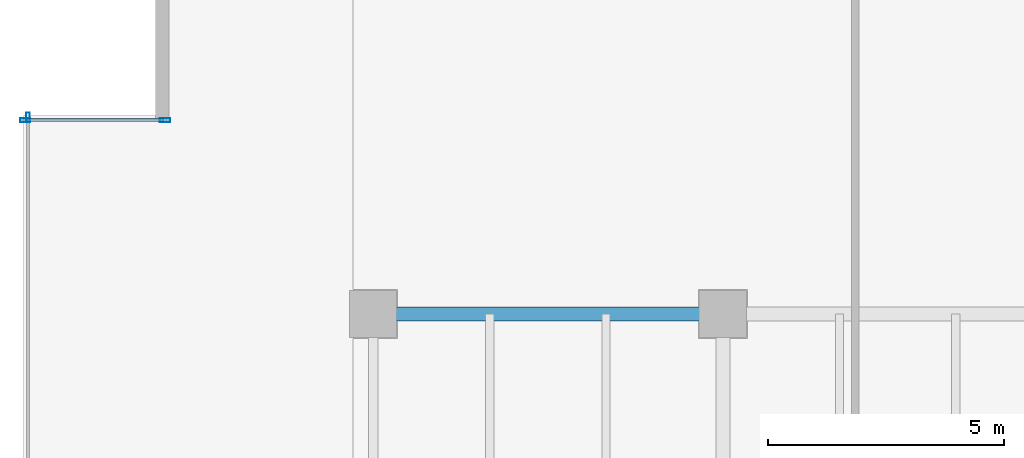
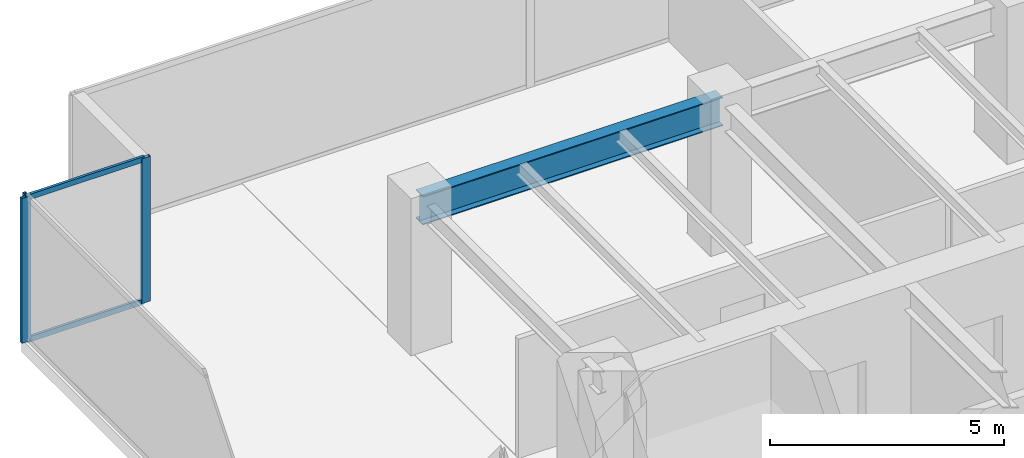
# One storey, part 12 of 37: 5 members, 1 beam, 2 elements without a shape of their own.
"""IFC4 building model written with IfcOpenShell, lengths in metres."""

from ifc_helpers import new_model, si_unit, direction, frame, origin, origin_2d, place, context, subcontext, project, spatial, hollow_rectangle, i_section, extrude, source, transform, mapped, material, layer, layer_set, material_profile, profile_set, type_object, type_shapes, element, aggregate, save


model = new_model("IFC4")

# Units and contexts
model_context = context("Model", 3, precision=1e-05, world=origin(), true_north=direction((0.0, 1.0)))
body_context = subcontext(model_context, "Body", "Model", "MODEL_VIEW")
ifc_project = project(units=[si_unit("LENGTHUNIT", "METRE"), si_unit("AREAUNIT", "SQUARE_METRE"), si_unit("VOLUMEUNIT", "CUBIC_METRE"), si_unit("PLANEANGLEUNIT", "RADIAN"), si_unit("MASSUNIT", "GRAM", prefix="KILO")], contexts=[model_context])

# Site, building, storey
site_placement = place(None, origin())
site = spatial("IfcSite", under=ifc_project, at=site_placement, CompositionType="ELEMENT")
building_placement = place(site_placement, origin())
building = spatial("IfcBuilding", under=site, at=building_placement, Name="Haelvirn Gate Laboratories", CompositionType="ELEMENT")
storey_placement = place(building_placement, frame((0.0, 0.0, 78.5)))
storey = spatial("IfcBuildingStorey", under=building, at=storey_placement, Name="L19", CompositionType="ELEMENT", Elevation=78.5)

# Beam
ifc_material_1 = material(Name="Steel SM355", Category="steel")
ifc_material_profile_1 = material_profile(ifc_material_1, i_section(OverallWidth=0.300048828125, OverallDepth=0.75, WebThickness=0.013916015625, FlangeThickness=0.02392578125, at=origin_2d()), Name="H-750x300x14x24")
ifc_profile_set_1 = profile_set([ifc_material_profile_1], Name="Steel SM355")
beam_type = type_object("IfcBeamType", Name="BM-G-750", PredefinedType="BEAM", material=ifc_profile_set_1)
shared_shape_1 = source(origin(), body_context, "Body", "SweptSolid", [
    extrude(i_section(OverallWidth=0.300048828125, OverallDepth=0.75, WebThickness=0.013916015625, FlangeThickness=0.02392578125, at=origin_2d()), origin(), (0.0, 0.0, 1.0), 7.400146484375),
])
type_shapes(beam_type, [shared_shape_1])
beam_placement = place(storey_placement, frame((7.39990234375, 41.60009765625, 3.405029296875), z_axis=(1.0, 0.0, 0.0), x_axis=(0.0, 1.0, 0.0)))
element("IfcBeam", 1, at=beam_placement, inside=storey, type_object=beam_type, Name="L19 Primary Girder Y41.6 (7.4-14.8)", PredefinedType="BEAM", context=body_context, shape_type="MappedRepresentation", body=[
    mapped(shared_shape_1, transform((0.0, 0.0, 0.0), scale=1.0)),
])

# Curtain wall, member
ifc_material_2 = material(Name="Anodised bronze unitised aluminium & triple low-E glass", Category="aluminium")
ifc_layer_1 = layer(ifc_material_2, 0.18408203125, Name="CW-SYS-2")
ifc_layer_set_1 = layer_set([ifc_layer_1], Name="Anodised bronze unitised aluminium & triple low-E glass")
curtain_wall_type_1 = type_object("IfcCurtainWallType", Name="CW-SYS-2", PredefinedType="NOTDEFINED", material=ifc_layer_set_1)
curtain_wall_1_placement = place(storey_placement, origin())
curtain_wall_1 = element("IfcCurtainWall", 2, at=curtain_wall_1_placement, inside=storey, type_object=curtain_wall_type_1, Name="L19 Unitised Curtain Wall CW-L19-P0-E17", PredefinedType="NOTDEFINED")
ifc_material_3 = material(Name="Extruded aluminium 6063-T6 (anodised bronze)", Category="aluminium")
ifc_material_profile_2 = material_profile(ifc_material_3, hollow_rectangle(XDim=0.074951171875, YDim=0.199951171875, WallThickness=0.0048828125, at=origin_2d()), Name="CWM-200x75x5")
ifc_profile_set_2 = profile_set([ifc_material_profile_2], Name="Extruded aluminium 6063-T6 (anodised bronze)")
member_type_1 = type_object("IfcMemberType", Name="CWM-T200", PredefinedType="MULLION", material=ifc_profile_set_2)
shared_shape_2 = source(origin(), body_context, "Body", "SweptSolid", [
    extrude(hollow_rectangle(XDim=0.074951171875, YDim=0.199951171875, WallThickness=0.0048828125, at=origin_2d()), origin(), (0.0, 0.0, 1.0), 3.780029296875),
])
type_shapes(member_type_1, [shared_shape_2])
member_1_placement = place(storey_placement, frame((0.10009765625, 45.762451171875, 0.0), z_axis=(0.0, 0.0, 1.0), x_axis=(1.0, 0.0, 0.0)))
member_1 = element("IfcMember", 3, at=member_1_placement, type_object=member_type_1, Name="CW2 mullion 1", PredefinedType="MULLION", context=body_context, shape_type="MappedRepresentation", body=[
    mapped(shared_shape_2, transform((0.0, 0.0, 0.0), scale=1.0)),
])
aggregate(curtain_wall_1, [member_1])

# Curtain wall, members
ifc_layer_2 = layer(ifc_material_2, 0.181884765625, Name="CW-SYS-5")
ifc_layer_set_2 = layer_set([ifc_layer_2], Name="Anodised bronze unitised aluminium & triple low-E glass")
curtain_wall_type_2 = type_object("IfcCurtainWallType", Name="CW-SYS-5", PredefinedType="NOTDEFINED", material=ifc_layer_set_2)
curtain_wall_2_placement = place(storey_placement, origin())
curtain_wall_2 = element("IfcCurtainWall", 4, at=curtain_wall_2_placement, inside=storey, type_object=curtain_wall_type_2, Name="L19 Unitised Curtain Wall CW-L19-P0-E16-1", PredefinedType="NOTDEFINED")
ifc_material_profile_3 = material_profile(ifc_material_3, hollow_rectangle(XDim=0.080078125, YDim=0.219970703125, WallThickness=0.006103515625, at=origin_2d()), Name="CWM-220x80x6")
ifc_profile_set_3 = profile_set([ifc_material_profile_3], Name="Extruded aluminium 6063-T6 (anodised bronze)")
member_type_2 = type_object("IfcMemberType", Name="CWM-T220", PredefinedType="MULLION", material=ifc_profile_set_3)
shared_shape_3 = source(origin(), body_context, "Body", "SweptSolid", [
    extrude(hollow_rectangle(XDim=0.080078125, YDim=0.219970703125, WallThickness=0.006103515625, at=origin_2d()), origin(), (0.0, 0.0, 1.0), 3.780029296875),
])
type_shapes(member_type_2, [shared_shape_3])
member_2_placement = place(storey_placement, frame((0.0400390625, 45.699951171875, 0.0), z_axis=(0.0, 0.0, 1.0), x_axis=(0.0, 1.0, 0.0)))
member_2 = element("IfcMember", 5, at=member_2_placement, type_object=member_type_2, Name="CW5 mullion 1", PredefinedType="MULLION", context=body_context, shape_type="MappedRepresentation", body=[
    mapped(shared_shape_3, transform((0.0, 0.0, 0.0), scale=1.0)),
])
member_3_placement = place(storey_placement, frame((3.0, 45.699951171875, 0.0), z_axis=(0.0, 0.0, 1.0), x_axis=(0.0, 1.0, 0.0)))
member_3 = element("IfcMember", 6, at=member_3_placement, type_object=member_type_2, Name="CW5 mullion 2", PredefinedType="MULLION", context=body_context, shape_type="MappedRepresentation", body=[
    mapped(shared_shape_3, transform((0.0, 0.0, 0.0), scale=1.0)),
])
ifc_material_profile_4 = material_profile(ifc_material_3, hollow_rectangle(XDim=0.06494140625, YDim=0.139892578125, WallThickness=0.00390625, at=origin_2d()), Name="CWT-140x65x4")
ifc_profile_set_4 = profile_set([ifc_material_profile_4], Name="Extruded aluminium 6063-T6 (anodised bronze)")
member_type_3 = type_object("IfcMemberType", Name="CWT-T140", PredefinedType="USERDEFINED", material=ifc_profile_set_4)
shared_shape_4 = source(origin(), body_context, "Body", "SweptSolid", [
    extrude(hollow_rectangle(XDim=0.06494140625, YDim=0.139892578125, WallThickness=0.00390625, at=origin_2d()), origin(), (0.0, 0.0, 1.0), 2.8798828125),
])
type_shapes(member_type_3, [shared_shape_4])
member_4_placement = place(storey_placement, frame((0.080078125, 45.699951171875, 0.032470703125), z_axis=(1.0, 0.0, 0.0), x_axis=(0.0, 1.0, 0.0)))
member_4 = element("IfcMember", 7, at=member_4_placement, type_object=member_type_3, Name="CW5 transom 1.1", ObjectType="TRANSOM", PredefinedType="USERDEFINED", context=body_context, shape_type="MappedRepresentation", body=[
    mapped(shared_shape_4, transform((0.0, 0.0, 0.0), scale=1.0)),
])
member_5_placement = place(storey_placement, frame((0.080078125, 45.699951171875, 3.74755859375), z_axis=(1.0, 0.0, 0.0), x_axis=(0.0, 1.0, 0.0)))
member_5 = element("IfcMember", 8, at=member_5_placement, type_object=member_type_3, Name="CW5 transom 1.2", ObjectType="TRANSOM", PredefinedType="USERDEFINED", context=body_context, shape_type="MappedRepresentation", body=[
    mapped(shared_shape_4, transform((0.0, 0.0, 0.0), scale=1.0)),
])
aggregate(curtain_wall_2, [member_2, member_3, member_4, member_5])

save(model, "model.ifc")
